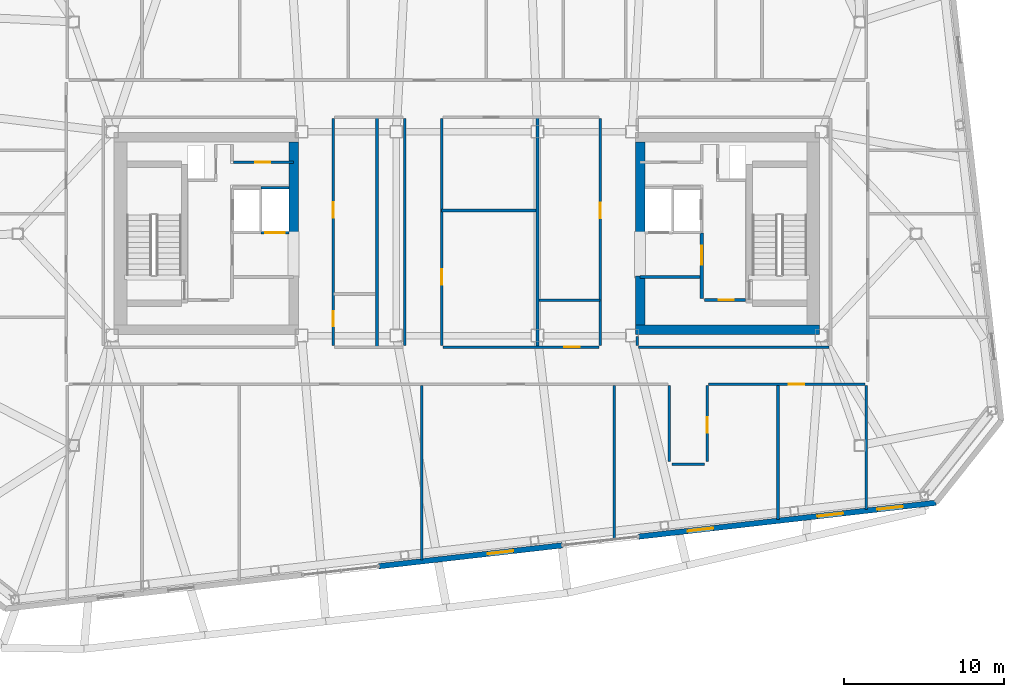
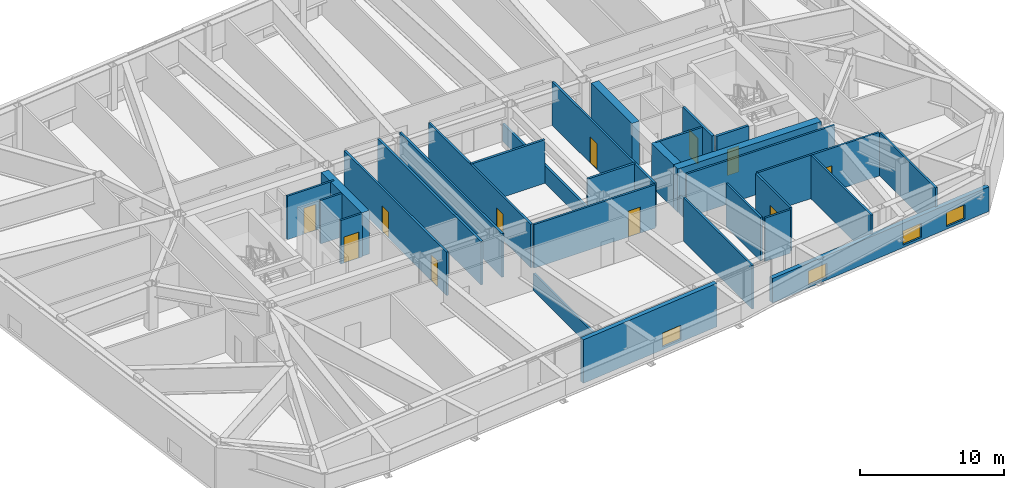
# One storey, part 13 of 18: 31 walls, 11 doors, 4 windows, 15 openings.
"""IFC4 building model written with IfcOpenShell, lengths in metres."""

from ifc_helpers import new_model, si_unit, direction, frame, frame_2d, origin, place, context, subcontext, project, spatial, rectangle, extrude, material, layer, layer_set, type_object, element, fill, save


model = new_model("IFC4")

# Units and contexts
model_context = context("Model", 3, precision=1e-05, world=origin(), true_north=direction((0.0, 1.0)))
body_context = subcontext(model_context, "Body", "Model", "MODEL_VIEW")
ifc_project = project(units=[si_unit("LENGTHUNIT", "METRE"), si_unit("AREAUNIT", "SQUARE_METRE"), si_unit("VOLUMEUNIT", "CUBIC_METRE"), si_unit("PLANEANGLEUNIT", "RADIAN"), si_unit("MASSUNIT", "GRAM", prefix="KILO")], contexts=[model_context])

# Site, building, storey
site_placement = place(None, origin())
site = spatial("IfcSite", under=ifc_project, at=site_placement, CompositionType="ELEMENT")
building_placement = place(site_placement, origin())
building = spatial("IfcBuilding", under=site, at=building_placement, Name="Tavrogorsk Clinical Tower", CompositionType="ELEMENT")
storey_placement = place(building_placement, frame((0.0, 0.0, 267.0)))
storey = spatial("IfcBuildingStorey", under=building, at=storey_placement, Name="L62", CompositionType="ELEMENT", Elevation=267.0)

# Wall, opening, door
ifc_material_1 = material(Name="Concrete B60", Category="concrete")
ifc_layer_1 = layer(ifc_material_1, 0.199951171875)
ifc_layer_set_1 = layer_set([ifc_layer_1], Name="Concrete B60")
wall_type_1 = type_object("IfcWallType", Name="CoreFireWall_200", PredefinedType="SOLIDWALL", material=ifc_layer_set_1)
wall_1_placement = place(storey_placement, frame((14.824951171875, -4.139892578125, 0.0), z_axis=(0.0, 0.0, 1.0), x_axis=(1.0, 0.0, 0.0)))
wall_1 = element("IfcWall", 1, at=wall_1_placement, inside=storey, type_object=wall_type_1, Name="L62 Core East South Core Room Fire Wall", PredefinedType="SOLIDWALL", context=body_context, shape_type="SweptSolid", body=[
    extrude(rectangle(XDim=2.554931640625, YDim=0.199951171875, at=frame_2d((1.27734375, 0.0))), origin(), (0.0, 0.0, 1.0), 3.679931640625),
])
opening_1_placement = place(wall_1_placement, frame((0.8798828125, 0.0, 0.0)))
opening_1 = element("IfcOpeningElement", 2, at=opening_1_placement, cuts=wall_1, Name="Opening ID-02", PredefinedType="OPENING", context=body_context, shape_type="SweptSolid", body=[
    extrude(rectangle(XDim=0.949951171875, YDim=2.199951171875, at=frame_2d((0.47509765625, 1.10009765625))), frame((0.0, 0.10986328125, 0.0), z_axis=(0.0, -1.0, 0.0), x_axis=(1.0, 0.0, 0.0)), (0.0, 0.0, 1.0), 0.219970703125),
])
ifc_material_2 = material(Name="Laminated timber leaf on aluminium frame", Category="wood")
door_type_1 = type_object("IfcDoorType", Name="InteriorDoor_ID02_950", OperationType="NOTDEFINED", PredefinedType="DOOR", material=ifc_material_2)
door_1_placement = place(opening_1_placement, origin())
door_1 = element("IfcDoor", 3, at=door_1_placement, inside=storey, type_object=door_type_1, Name="L62 Core East South Core Room Door", OperationType="SINGLE_SWING_RIGHT", OverallHeight=2.199951171875, OverallWidth=0.949951171875, PredefinedType="DOOR", context=body_context, shape_type="SweptSolid", body=[
    extrude(rectangle(XDim=0.949951171875, YDim=2.199951171875, at=frame_2d((0.47509765625, 1.10009765625))), frame((0.0, 0.02490234375, 0.0), z_axis=(0.0, -1.0, 0.0), x_axis=(1.0, 0.0, 0.0)), (0.0, 0.0, 1.0), 0.050048828125),
])
fill(opening_1, door_1)

wall_2_placement = place(storey_placement, frame((14.639892578125, -4.034912109375, 0.0), z_axis=(0.0, 0.0, 1.0), x_axis=(0.0, 1.0, 0.0)))
wall_2 = element("IfcWall", 4, at=wall_2_placement, inside=storey, type_object=wall_type_1, Name="L62 Core East Firefighting Lobby Fire Wall", PredefinedType="SOLIDWALL", context=body_context, shape_type="SweptSolid", body=[
    extrude(rectangle(XDim=4.074951171875, YDim=0.199951171875, at=frame_2d((2.03759765625, 0.0))), origin(), (0.0, 0.0, 1.0), 3.679931640625),
])
opening_2_placement = place(wall_2_placement, frame((2.090087890625, 0.0, 0.0)))
opening_2 = element("IfcOpeningElement", 5, at=opening_2_placement, cuts=wall_2, Name="Opening FD-01", PredefinedType="OPENING", context=body_context, shape_type="SweptSolid", body=[
    extrude(rectangle(XDim=1.199951171875, YDim=2.199951171875, at=frame_2d((0.60009765625, 1.10009765625))), frame((0.0, 0.10986328125, 0.0), z_axis=(0.0, -1.0, 0.0), x_axis=(1.0, 0.0, 0.0)), (0.0, 0.0, 1.0), 0.219970703125),
])
ifc_material_3 = material(Name="Galvanised steel fire-rated door assembly", Category="steel")
door_type_2 = type_object("IfcDoorType", Name="FireDoor_FD01_1200", OperationType="NOTDEFINED", PredefinedType="DOOR", material=ifc_material_3)
door_2_placement = place(opening_2_placement, origin())
door_2 = element("IfcDoor", 6, at=door_2_placement, inside=storey, type_object=door_type_2, Name="L62 Core East Firefighting Lobby Entry Door", OperationType="SINGLE_SWING_RIGHT", OverallHeight=2.199951171875, OverallWidth=1.199951171875, PredefinedType="DOOR", context=body_context, shape_type="SweptSolid", body=[
    extrude(rectangle(XDim=1.199951171875, YDim=2.199951171875, at=frame_2d((0.60009765625, 1.10009765625))), frame((0.0, 0.02490234375, 0.0), z_axis=(0.0, -1.0, 0.0), x_axis=(1.0, 0.0, 0.0)), (0.0, 0.0, 1.0), 0.050048828125),
])
fill(opening_2, door_2)

ifc_material_4 = material(Name="Lightweight concrete blockwork B15", Category="masonry")
ifc_layer_2 = layer(ifc_material_4, 0.159912109375)
ifc_layer_set_2 = layer_set([ifc_layer_2], Name="Lightweight concrete blockwork B15")
wall_type_2 = type_object("IfcWallType", Name="PartitionWall_160", PredefinedType="PARTITIONING", material=ifc_layer_set_2)
wall_3_placement = place(storey_placement, frame((-14.554931640625, 4.4599609375, 0.0), z_axis=(0.0, 0.0, 1.0), x_axis=(1.0, 0.0, 0.0)))
wall_3 = element("IfcWall", 7, at=wall_3_placement, inside=storey, type_object=wall_type_2, Name="L62 Core West Pneumatic Dispatch South Wall", PredefinedType="PARTITIONING", context=body_context, shape_type="SweptSolid", body=[
    extrude(rectangle(XDim=3.7548828125, YDim=0.159912109375, at=frame_2d((1.87744140625, 0.0))), origin(), (0.0, 0.0, 1.0), 3.679931640625),
])
opening_3_placement = place(wall_3_placement, frame((1.35009765625, 0.0, 0.0)))
opening_3 = element("IfcOpeningElement", 8, at=opening_3_placement, cuts=wall_3, Name="Opening ID-02", PredefinedType="OPENING", context=body_context, shape_type="SweptSolid", body=[
    extrude(rectangle(XDim=0.949951171875, YDim=2.199951171875, at=frame_2d((0.47509765625, 1.10009765625))), frame((0.0, 0.08984375, 0.0), z_axis=(0.0, -1.0, 0.0), x_axis=(1.0, 0.0, 0.0)), (0.0, 0.0, 1.0), 0.179931640625),
])
door_3_placement = place(opening_3_placement, origin())
door_3 = element("IfcDoor", 9, at=door_3_placement, inside=storey, type_object=door_type_1, Name="L62 Core West Pneumatic Dispatch Door", OperationType="SINGLE_SWING_LEFT", OverallHeight=2.199951171875, OverallWidth=0.949951171875, PredefinedType="DOOR", context=body_context, shape_type="SweptSolid", body=[
    extrude(rectangle(XDim=0.949951171875, YDim=2.199951171875, at=frame_2d((0.47509765625, 1.10009765625))), frame((0.0, 0.02490234375, 0.0), z_axis=(0.0, -1.0, 0.0), x_axis=(1.0, 0.0, 0.0)), (0.0, 0.0, 1.0), 0.050048828125),
])
fill(opening_3, door_3)

# Wall
wall_4_placement = place(storey_placement, frame((10.800048828125, -2.699951171875, 0.0), z_axis=(0.0, 0.0, 1.0), x_axis=(1.0, 0.0, 0.0)))
element("IfcWall", 10, at=wall_4_placement, inside=storey, type_object=wall_type_2, Name="L62 Core East Freed Mid-Bank North Partition", PredefinedType="PARTITIONING", context=body_context, shape_type="SweptSolid", body=[
    extrude(rectangle(XDim=3.73486328125, YDim=0.159912109375, at=frame_2d((1.867431640625, 0.0))), origin(), (0.0, 0.0, 1.0), 3.679931640625),
])

# Wall, opening, door
wall_5_placement = place(storey_placement, frame((24.81494140625, -9.3798828125, 0.0), z_axis=(0.0, 0.0, 1.0), x_axis=(-1.0, 0.0, 0.0)))
wall_5 = element("IfcWall", 11, at=wall_5_placement, inside=storey, type_object=wall_type_2, Name="L62 Corridor Partition 04", PredefinedType="PARTITIONING", context=body_context, shape_type="SweptSolid", body=[
    extrude(rectangle(XDim=9.75, YDim=0.159912109375, at=frame_2d((4.875, 0.0))), origin(), (0.0, 0.0, 1.0), 3.679931640625),
])
opening_4_placement = place(wall_5_placement, frame((3.7890625, 0.0, 0.0)))
opening_4 = element("IfcOpeningElement", 12, at=opening_4_placement, cuts=wall_5, Name="Opening ID-02", PredefinedType="OPENING", context=body_context, shape_type="SweptSolid", body=[
    extrude(rectangle(XDim=0.949951171875, YDim=2.199951171875, at=frame_2d((0.47509765625, 1.10009765625))), frame((0.0, 0.08984375, 0.0), z_axis=(0.0, -1.0, 0.0), x_axis=(1.0, 0.0, 0.0)), (0.0, 0.0, 1.0), 0.179931640625),
])
door_4_placement = place(opening_4_placement, origin())
door_4 = element("IfcDoor", 13, at=door_4_placement, inside=storey, type_object=door_type_1, Name="L62 South Attending Physician Office 06 Door", OperationType="SINGLE_SWING_LEFT", OverallHeight=2.199951171875, OverallWidth=0.949951171875, PredefinedType="DOOR", context=body_context, shape_type="SweptSolid", body=[
    extrude(rectangle(XDim=0.949951171875, YDim=2.199951171875, at=frame_2d((0.47509765625, 1.10009765625))), frame((0.0, 0.02490234375, 0.0), z_axis=(0.0, -1.0, 0.0), x_axis=(1.0, 0.0, 0.0)), (0.0, 0.0, 1.0), 0.050048828125),
])
fill(opening_4, door_4)

wall_6_placement = place(storey_placement, frame((14.97998046875, -9.465087890625, 0.0), z_axis=(0.0, 0.0, 1.0), x_axis=(0.0, -1.0, 0.0)))
wall_6 = element("IfcWall", 14, at=wall_6_placement, inside=storey, type_object=wall_type_2, Name="L62 Corridor Partition 05", PredefinedType="PARTITIONING", context=body_context, shape_type="SweptSolid", body=[
    extrude(rectangle(XDim=4.75, YDim=0.159912109375, at=frame_2d((2.375, 0.0))), origin(), (0.0, 0.0, 1.0), 3.679931640625),
])
opening_5_placement = place(wall_6_placement, frame((1.985107421875, 0.0, 0.0)))
opening_5 = element("IfcOpeningElement", 15, at=opening_5_placement, cuts=wall_6, Name="Opening ID-02", PredefinedType="OPENING", context=body_context, shape_type="SweptSolid", body=[
    extrude(rectangle(XDim=0.949951171875, YDim=2.199951171875, at=frame_2d((0.47509765625, 1.10009765625))), frame((0.0, 0.08984375, 0.0), z_axis=(0.0, -1.0, 0.0), x_axis=(1.0, 0.0, 0.0)), (0.0, 0.0, 1.0), 0.179931640625),
])
door_5_placement = place(opening_5_placement, origin())
door_5 = element("IfcDoor", 16, at=door_5_placement, inside=storey, type_object=door_type_1, Name="L62 South Cardiology Diagnostics Room 05 Door", OperationType="SINGLE_SWING_RIGHT", OverallHeight=2.199951171875, OverallWidth=0.949951171875, PredefinedType="DOOR", context=body_context, shape_type="SweptSolid", body=[
    extrude(rectangle(XDim=0.949951171875, YDim=2.199951171875, at=frame_2d((0.47509765625, 1.10009765625))), frame((0.0, 0.02490234375, 0.0), z_axis=(0.0, -1.0, 0.0), x_axis=(1.0, 0.0, 0.0)), (0.0, 0.0, 1.0), 0.050048828125),
])
fill(opening_5, door_5)

# Walls
wall_7_placement = place(storey_placement, frame((14.81494140625, -14.3798828125, 0.0), z_axis=(0.0, 0.0, 1.0), x_axis=(-1.0, 0.0, 0.0)))
element("IfcWall", 17, at=wall_7_placement, inside=storey, type_object=wall_type_2, Name="L62 Corridor Partition 06", PredefinedType="PARTITIONING", context=body_context, shape_type="SweptSolid", body=[
    extrude(rectangle(XDim=2.030029296875, YDim=0.159912109375, at=frame_2d((1.01513671875, 0.0))), origin(), (0.0, 0.0, 1.0), 3.679931640625),
])
wall_8_placement = place(storey_placement, frame((12.6201171875, -14.215087890625, 0.0), z_axis=(0.0, 0.0, 1.0), x_axis=(0.0, 1.0, 0.0)))
element("IfcWall", 18, at=wall_8_placement, inside=storey, type_object=wall_type_2, Name="L62 Corridor Partition 07", PredefinedType="PARTITIONING", context=body_context, shape_type="SweptSolid", body=[
    extrude(rectangle(XDim=4.75, YDim=0.159912109375, at=frame_2d((2.375, 0.0))), origin(), (0.0, 0.0, 1.0), 3.679931640625),
])
wall_9_placement = place(storey_placement, frame((10.6298828125, -6.419921875, 0.0), z_axis=(0.0, 0.0, 1.0), x_axis=(0.0, -1.0, 0.0)))
element("IfcWall", 19, at=wall_9_placement, inside=storey, type_object=wall_type_2, Name="L62 Corridor Partition 11", PredefinedType="PARTITIONING", context=body_context, shape_type="SweptSolid", body=[
    extrude(rectangle(XDim=0.565185546875, YDim=0.159912109375, at=frame_2d((0.28271484375, 0.0))), origin(), (0.0, 0.0, 1.0), 1.47509765625),
])
wall_10_placement = place(storey_placement, frame((10.715087890625, -7.070068359375, 0.0), z_axis=(0.0, 0.0, 1.0), x_axis=(1.0, 0.0, 0.0)))
element("IfcWall", 20, at=wall_10_placement, inside=storey, type_object=wall_type_2, Name="L62 Corridor Partition 12", PredefinedType="PARTITIONING", context=body_context, shape_type="SweptSolid", body=[
    extrude(rectangle(XDim=11.869873046875, YDim=0.159912109375, at=frame_2d((5.93505859375, 0.0))), origin(), (0.0, 0.0, 1.0), 3.679931640625),
])

# Wall, opening, door
wall_11_placement = place(storey_placement, frame((-1.570068359375, 7.18505859375, 0.0), z_axis=(0.0, 0.0, 1.0), x_axis=(0.0, -1.0, 0.0)))
wall_11 = element("IfcWall", 21, at=wall_11_placement, inside=storey, type_object=wall_type_2, Name="L62 Corridor Partition 15", PredefinedType="PARTITIONING", context=body_context, shape_type="SweptSolid", body=[
    extrude(rectangle(XDim=14.170166015625, YDim=0.159912109375, at=frame_2d((7.0849609375, 0.0))), origin(), (0.0, 0.0, 1.0), 3.679931640625),
])
opening_6_placement = place(wall_11_placement, frame((9.410888671875, 0.0, 0.0)))
opening_6 = element("IfcOpeningElement", 22, at=opening_6_placement, cuts=wall_11, Name="Opening ID-02", PredefinedType="OPENING", context=body_context, shape_type="SweptSolid", body=[
    extrude(rectangle(XDim=0.949951171875, YDim=2.199951171875, at=frame_2d((0.47509765625, 1.10009765625))), frame((0.0, 0.08984375, 0.0), z_axis=(0.0, -1.0, 0.0), x_axis=(1.0, 0.0, 0.0)), (0.0, 0.0, 1.0), 0.179931640625),
])
door_6_placement = place(opening_6_placement, origin())
door_6 = element("IfcDoor", 23, at=door_6_placement, inside=storey, type_object=door_type_1, Name="L62 Multidisciplinary Conference Room Door", OperationType="SINGLE_SWING_RIGHT", OverallHeight=2.199951171875, OverallWidth=0.949951171875, PredefinedType="DOOR", context=body_context, shape_type="SweptSolid", body=[
    extrude(rectangle(XDim=0.949951171875, YDim=2.199951171875, at=frame_2d((0.47509765625, 1.10009765625))), frame((0.0, 0.02490234375, 0.0), z_axis=(0.0, -1.0, 0.0), x_axis=(1.0, 0.0, 0.0)), (0.0, 0.0, 1.0), 0.050048828125),
])
fill(opening_6, door_6)

wall_12_placement = place(storey_placement, frame((-1.485107421875, -7.070068359375, 0.0), z_axis=(0.0, 0.0, 1.0), x_axis=(1.0, 0.0, 0.0)))
wall_12 = element("IfcWall", 24, at=wall_12_placement, inside=storey, type_object=wall_type_2, Name="L62 Corridor Partition 16", PredefinedType="PARTITIONING", context=body_context, shape_type="SweptSolid", body=[
    extrude(rectangle(XDim=9.72021484375, YDim=0.159912109375, at=frame_2d((4.860107421875, 0.0))), origin(), (0.0, 0.0, 1.0), 3.679931640625),
])
opening_7_placement = place(wall_12_placement, frame((7.560791015625, 0.0, 0.0)))
opening_7 = element("IfcOpeningElement", 25, at=opening_7_placement, cuts=wall_12, Name="Opening ID-02", PredefinedType="OPENING", context=body_context, shape_type="SweptSolid", body=[
    extrude(rectangle(XDim=0.949951171875, YDim=2.199951171875, at=frame_2d((0.47509765625, 1.10009765625))), frame((0.0, 0.08984375, 0.0), z_axis=(0.0, -1.0, 0.0), x_axis=(1.0, 0.0, 0.0)), (0.0, 0.0, 1.0), 0.179931640625),
])
door_7_placement = place(opening_7_placement, origin())
door_7 = element("IfcDoor", 26, at=door_7_placement, inside=storey, type_object=door_type_1, Name="L62 Staff & Visitor Accessible WC Door", OperationType="SINGLE_SWING_RIGHT", OverallHeight=2.199951171875, OverallWidth=0.949951171875, PredefinedType="DOOR", context=body_context, shape_type="SweptSolid", body=[
    extrude(rectangle(XDim=0.949951171875, YDim=2.199951171875, at=frame_2d((0.47509765625, 1.10009765625))), frame((0.0, 0.02490234375, 0.0), z_axis=(0.0, -1.0, 0.0), x_axis=(1.0, 0.0, 0.0)), (0.0, 0.0, 1.0), 0.050048828125),
])
fill(opening_7, door_7)

wall_13_placement = place(storey_placement, frame((8.320068359375, -6.985107421875, 0.0), z_axis=(0.0, 0.0, 1.0), x_axis=(0.0, 1.0, 0.0)))
wall_13 = element("IfcWall", 27, at=wall_13_placement, inside=storey, type_object=wall_type_2, Name="L62 Corridor Partition 17", PredefinedType="PARTITIONING", context=body_context, shape_type="SweptSolid", body=[
    extrude(rectangle(XDim=14.170166015625, YDim=0.159912109375, at=frame_2d((7.0849609375, 0.0))), origin(), (0.0, 0.0, 1.0), 3.679931640625),
])
opening_8_placement = place(wall_13_placement, frame((7.9609375, 0.0, 0.0)))
opening_8 = element("IfcOpeningElement", 28, at=opening_8_placement, cuts=wall_13, Name="Opening ID-02", PredefinedType="OPENING", context=body_context, shape_type="SweptSolid", body=[
    extrude(rectangle(XDim=0.949951171875, YDim=2.199951171875, at=frame_2d((0.47509765625, 1.10009765625))), frame((0.0, 0.08984375, 0.0), z_axis=(0.0, -1.0, 0.0), x_axis=(1.0, 0.0, 0.0)), (0.0, 0.0, 1.0), 0.179931640625),
])
door_8_placement = place(opening_8_placement, origin())
door_8 = element("IfcDoor", 29, at=door_8_placement, inside=storey, type_object=door_type_1, Name="L62 Attending Physician Office Door", OperationType="SINGLE_SWING_LEFT", OverallHeight=2.199951171875, OverallWidth=0.949951171875, PredefinedType="DOOR", context=body_context, shape_type="SweptSolid", body=[
    extrude(rectangle(XDim=0.949951171875, YDim=2.199951171875, at=frame_2d((0.47509765625, 1.10009765625))), frame((0.0, 0.02490234375, 0.0), z_axis=(0.0, -1.0, 0.0), x_axis=(1.0, 0.0, 0.0)), (0.0, 0.0, 1.0), 0.050048828125),
])
fill(opening_8, door_8)

# Wall
wall_14_placement = place(storey_placement, frame((-3.8798828125, -6.985107421875, 0.0), z_axis=(0.0, 0.0, 1.0), x_axis=(0.0, 1.0, 0.0)))
element("IfcWall", 30, at=wall_14_placement, inside=storey, type_object=wall_type_2, Name="L62 Corridor Partition 18", PredefinedType="PARTITIONING", context=body_context, shape_type="SweptSolid", body=[
    extrude(rectangle(XDim=14.170166015625, YDim=0.159912109375, at=frame_2d((7.0849609375, 0.0))), origin(), (0.0, 0.0, 1.0), 3.679931640625),
])

# Wall, openings, doors
wall_15_placement = place(storey_placement, frame((-8.320068359375, 7.18505859375, 0.0), z_axis=(0.0, 0.0, 1.0), x_axis=(0.0, -1.0, 0.0)))
wall_15 = element("IfcWall", 31, at=wall_15_placement, inside=storey, type_object=wall_type_2, Name="L62 Corridor Partition 20", PredefinedType="PARTITIONING", context=body_context, shape_type="SweptSolid", body=[
    extrude(rectangle(XDim=14.170166015625, YDim=0.159912109375, at=frame_2d((7.0849609375, 0.0))), origin(), (0.0, 0.0, 1.0), 3.679931640625),
])
opening_9_placement = place(wall_15_placement, frame((12.010986328125, 0.0, 0.0)))
opening_9 = element("IfcOpeningElement", 32, at=opening_9_placement, cuts=wall_15, Name="Opening ID-02", PredefinedType="OPENING", context=body_context, shape_type="SweptSolid", body=[
    extrude(rectangle(XDim=0.949951171875, YDim=2.199951171875, at=frame_2d((0.47509765625, 1.10009765625))), frame((0.0, 0.08984375, 0.0), z_axis=(0.0, -1.0, 0.0), x_axis=(1.0, 0.0, 0.0)), (0.0, 0.0, 1.0), 0.179931640625),
])
opening_10_placement = place(wall_15_placement, frame((5.22900390625, 0.0, 0.0)))
opening_10 = element("IfcOpeningElement", 33, at=opening_10_placement, cuts=wall_15, Name="Opening ID-02", PredefinedType="OPENING", context=body_context, shape_type="SweptSolid", body=[
    extrude(rectangle(XDim=0.949951171875, YDim=2.199951171875, at=frame_2d((0.47509765625, 1.10009765625))), frame((0.0, 0.08984375, 0.0), z_axis=(0.0, -1.0, 0.0), x_axis=(1.0, 0.0, 0.0)), (0.0, 0.0, 1.0), 0.179931640625),
])
door_9_placement = place(opening_9_placement, origin())
door_9 = element("IfcDoor", 34, at=door_9_placement, inside=storey, type_object=door_type_1, Name="L62 Accessible Patient Lavatory Door", OperationType="SINGLE_SWING_RIGHT", OverallHeight=2.199951171875, OverallWidth=0.949951171875, PredefinedType="DOOR", context=body_context, shape_type="SweptSolid", body=[
    extrude(rectangle(XDim=0.949951171875, YDim=2.199951171875, at=frame_2d((0.47509765625, 1.10009765625))), frame((0.0, 0.02490234375, 0.0), z_axis=(0.0, -1.0, 0.0), x_axis=(1.0, 0.0, 0.0)), (0.0, 0.0, 1.0), 0.050048828125),
])
fill(opening_9, door_9)
door_10_placement = place(opening_10_placement, origin())
door_10 = element("IfcDoor", 35, at=door_10_placement, inside=storey, type_object=door_type_1, Name="L62 Ward Nourishment Pantry Door", OperationType="SINGLE_SWING_LEFT", OverallHeight=2.199951171875, OverallWidth=0.949951171875, PredefinedType="DOOR", context=body_context, shape_type="SweptSolid", body=[
    extrude(rectangle(XDim=0.949951171875, YDim=2.199951171875, at=frame_2d((0.47509765625, 1.10009765625))), frame((0.0, 0.02490234375, 0.0), z_axis=(0.0, -1.0, 0.0), x_axis=(1.0, 0.0, 0.0)), (0.0, 0.0, 1.0), 0.050048828125),
])
fill(opening_10, door_10)

# Walls
wall_16_placement = place(storey_placement, frame((24.89990234375, -17.199462890625, 0.0), z_axis=(0.0, 0.0, 1.0), x_axis=(0.0, 1.0, 0.0)))
element("IfcWall", 36, at=wall_16_placement, inside=storey, type_object=wall_type_2, Name="L62 SE Wing Closure Partition", PredefinedType="PARTITIONING", context=body_context, shape_type="SweptSolid", body=[
    extrude(rectangle(XDim=7.734375, YDim=0.159912109375, at=frame_2d((3.8671875, 0.0))), origin(), (0.0, 0.0, 1.0), 3.679931640625),
])
wall_17_placement = place(storey_placement, frame((-2.800048828125, -20.35546875, 0.0), z_axis=(0.0, 0.0, 1.0), x_axis=(0.0, 1.0, 0.0)))
element("IfcWall", 37, at=wall_17_placement, inside=storey, type_object=wall_type_2, Name="L62 South Room Partition 3", PredefinedType="PARTITIONING", context=body_context, shape_type="SweptSolid", body=[
    extrude(rectangle(XDim=10.890380859375, YDim=0.159912109375, at=frame_2d((5.4453125, 0.0))), origin(), (0.0, 0.0, 1.0), 1.47509765625),
])
wall_18_placement = place(storey_placement, frame((9.199951171875, -18.98828125, 0.0), z_axis=(0.0, 0.0, 1.0), x_axis=(0.0, 1.0, 0.0)))
element("IfcWall", 38, at=wall_18_placement, inside=storey, type_object=wall_type_2, Name="L62 South Room Partition 4", PredefinedType="PARTITIONING", context=body_context, shape_type="SweptSolid", body=[
    extrude(rectangle(XDim=9.523193359375, YDim=0.159912109375, at=frame_2d((4.76171875, 0.0))), origin(), (0.0, 0.0, 1.0), 3.679931640625),
])
wall_19_placement = place(storey_placement, frame((19.39990234375, -17.825927734375, 0.0), z_axis=(0.0, 0.0, 1.0), x_axis=(0.0, 1.0, 0.0)))
element("IfcWall", 39, at=wall_19_placement, inside=storey, type_object=wall_type_2, Name="L62 South Room Partition 5", PredefinedType="PARTITIONING", context=body_context, shape_type="SweptSolid", body=[
    extrude(rectangle(XDim=8.36083984375, YDim=0.159912109375, at=frame_2d((4.180419921875, 0.0))), origin(), (0.0, 0.0, 1.0), 3.679931640625),
])
ifc_material_5 = material(Name="Lightweight concrete blockwork B20", Category="masonry")
ifc_layer_3 = layer(ifc_material_5, 0.179931640625)
ifc_layer_set_3 = layer_set([ifc_layer_3], Name="Lightweight concrete blockwork B20")
wall_type_3 = type_object("IfcWallType", Name="PartitionWall_180", PredefinedType="PARTITIONING", material=ifc_layer_set_3)
wall_20_placement = place(storey_placement, frame((-5.60009765625, -7.06494140625, 0.0), z_axis=(0.0, 0.0, 1.0), x_axis=(0.0, 1.0, 0.0)))
element("IfcWall", 40, at=wall_20_placement, inside=storey, type_object=wall_type_3, Name="L62 Central Spine Partition 1", PredefinedType="PARTITIONING", context=body_context, shape_type="SweptSolid", body=[
    extrude(rectangle(XDim=14.329833984375, YDim=0.179931640625, at=frame_2d((7.1650390625, 0.0))), origin(), (0.0, 0.0, 1.0), 3.679931640625),
])
wall_21_placement = place(storey_placement, frame((4.39990234375, -7.06494140625, 0.0), z_axis=(0.0, 0.0, 1.0), x_axis=(0.0, 1.0, 0.0)))
element("IfcWall", 41, at=wall_21_placement, inside=storey, type_object=wall_type_3, Name="L62 Central Spine Partition 2", PredefinedType="PARTITIONING", context=body_context, shape_type="SweptSolid", body=[
    extrude(rectangle(XDim=14.329833984375, YDim=0.179931640625, at=frame_2d((7.1650390625, 0.0))), origin(), (0.0, 0.0, 1.0), 1.47509765625),
])
wall_22_placement = place(storey_placement, frame((-1.56494140625, 1.449951171875, 0.0), z_axis=(0.0, 0.0, 1.0), x_axis=(1.0, 0.0, 0.0)))
element("IfcWall", 42, at=wall_22_placement, inside=storey, type_object=wall_type_3, Name="L62 Central Spine Partition 3", PredefinedType="PARTITIONING", context=body_context, shape_type="SweptSolid", body=[
    extrude(rectangle(XDim=5.869873046875, YDim=0.179931640625, at=frame_2d((2.93505859375, 0.0))), origin(), (0.0, 0.0, 1.0), 3.679931640625),
])
wall_23_placement = place(storey_placement, frame((4.4951171875, -4.14990234375, 0.0), z_axis=(0.0, 0.0, 1.0), x_axis=(1.0, 0.0, 0.0)))
element("IfcWall", 43, at=wall_23_placement, inside=storey, type_object=wall_type_3, Name="L62 Central Spine Partition 5", PredefinedType="PARTITIONING", context=body_context, shape_type="SweptSolid", body=[
    extrude(rectangle(XDim=3.81982421875, YDim=0.179931640625, at=frame_2d((1.909912109375, 0.0))), origin(), (0.0, 0.0, 1.0), 3.679931640625),
])

# Wall, opening, window
ifc_material_6 = material(Name="Precast concrete B45 with limestone cladding", Category="masonry")
ifc_layer_4 = layer(ifc_material_6, 0.340087890625)
ifc_layer_set_4 = layer_set([ifc_layer_4], Name="Precast concrete B45 with limestone cladding")
wall_type_4 = type_object("IfcWallType", Name="PrecastLimestoneWall_340", PredefinedType="STANDARD", material=ifc_layer_set_4)
wall_24_placement = place(storey_placement, frame((-5.48193359375, -20.7314453125, 0.0), z_axis=(0.0, 0.0, 1.0), x_axis=(0.993571968199, 0.113202226169, 0.0)))
wall_24 = element("IfcWall", 44, at=wall_24_placement, inside=storey, type_object=wall_type_4, Name="L62 S Limestone Facade Wall 2", PredefinedType="STANDARD", context=body_context, shape_type="SweptSolid", body=[
    extrude(rectangle(XDim=11.497314453125, YDim=0.340087890625, at=frame_2d((5.74853515625, 0.0))), origin(), (0.0, 0.0, 1.0), 3.679931640625),
])
opening_11_placement = place(wall_24_placement, frame((6.82275390625, 0.0, 0.219970703125)))
opening_11 = element("IfcOpeningElement", 45, at=opening_11_placement, cuts=wall_24, Name="Opening WN-09", PredefinedType="OPENING", context=body_context, shape_type="SweptSolid", body=[
    extrude(rectangle(XDim=1.60009765625, YDim=1.199951171875, at=frame_2d((0.800048828125, 0.60009765625))), frame((0.0, 0.179931640625, 0.0), z_axis=(0.0, -1.0, 0.0), x_axis=(1.0, 0.0, 0.0)), (0.0, 0.0, 1.0), 0.360107421875),
])
ifc_material_7 = material(Name="Thermally broken aluminium frame and triple IGU", Category="aluminium")
window_type = type_object("IfcWindowType", Name="LowHeadTransWin_1600x1200", PartitioningType="DOUBLE_PANEL_VERTICAL", PredefinedType="WINDOW", material=ifc_material_7)
window_1_placement = place(opening_11_placement, origin())
window_1 = element("IfcWindow", 46, at=window_1_placement, inside=storey, type_object=window_type, Name="L62 S Chicago Window 06", OverallHeight=1.199951171875, OverallWidth=1.60009765625, PartitioningType="SINGLE_PANEL", PredefinedType="WINDOW", context=body_context, shape_type="SweptSolid", body=[
    extrude(rectangle(XDim=1.60009765625, YDim=1.199951171875, at=frame_2d((0.800048828125, 0.60009765625))), frame((0.0, 0.030029296875, 0.0), z_axis=(0.0, -1.0, 0.0), x_axis=(1.0, 0.0, 0.0)), (0.0, 0.0, 1.0), 0.06005859375),
])
fill(opening_11, window_1)

# Wall, openings, windows
wall_25_placement = place(storey_placement, frame((10.71044921875, -18.886474609375, 0.0), z_axis=(0.0, 0.0, 1.0), x_axis=(0.993572271362, 0.113199565282, 0.0)))
wall_25 = element("IfcWall", 47, at=wall_25_placement, inside=storey, type_object=wall_type_4, Name="L62 S Limestone Facade Wall 3", PredefinedType="STANDARD", context=body_context, shape_type="SweptSolid", body=[
    extrude(rectangle(XDim=18.6513671875, YDim=0.340087890625, at=frame_2d((9.32568359375, 0.0))), origin(), (0.0, 0.0, 1.0), 2.074951171875),
])
opening_12_placement = place(wall_25_placement, frame((3.074462890625, 0.0, 0.219970703125)))
opening_12 = element("IfcOpeningElement", 48, at=opening_12_placement, cuts=wall_25, Name="Opening WN-09", PredefinedType="OPENING", context=body_context, shape_type="SweptSolid", body=[
    extrude(rectangle(XDim=1.60009765625, YDim=1.199951171875, at=frame_2d((0.800048828125, 0.60009765625))), frame((0.0, 0.179931640625, 0.0), z_axis=(0.0, -1.0, 0.0), x_axis=(1.0, 0.0, 0.0)), (0.0, 0.0, 1.0), 0.360107421875),
])
opening_13_placement = place(wall_25_placement, frame((11.222900390625, 0.0, 0.219970703125)))
opening_13 = element("IfcOpeningElement", 49, at=opening_13_placement, cuts=wall_25, Name="Opening WN-09", PredefinedType="OPENING", context=body_context, shape_type="SweptSolid", body=[
    extrude(rectangle(XDim=1.60009765625, YDim=1.199951171875, at=frame_2d((0.800048828125, 0.60009765625))), frame((0.0, 0.179931640625, 0.0), z_axis=(0.0, -1.0, 0.0), x_axis=(1.0, 0.0, 0.0)), (0.0, 0.0, 1.0), 0.360107421875),
])
opening_14_placement = place(wall_25_placement, frame((14.97119140625, 0.0, 0.219970703125)))
opening_14 = element("IfcOpeningElement", 50, at=opening_14_placement, cuts=wall_25, Name="Opening WN-09", PredefinedType="OPENING", context=body_context, shape_type="SweptSolid", body=[
    extrude(rectangle(XDim=1.60009765625, YDim=1.199951171875, at=frame_2d((0.800048828125, 0.60009765625))), frame((0.0, 0.179931640625, 0.0), z_axis=(0.0, -1.0, 0.0), x_axis=(1.0, 0.0, 0.0)), (0.0, 0.0, 1.0), 0.360107421875),
])
window_2_placement = place(opening_12_placement, origin())
window_2 = element("IfcWindow", 51, at=window_2_placement, inside=storey, type_object=window_type, Name="L62 S Chicago Window 07", OverallHeight=1.199951171875, OverallWidth=1.60009765625, PartitioningType="SINGLE_PANEL", PredefinedType="WINDOW", context=body_context, shape_type="SweptSolid", body=[
    extrude(rectangle(XDim=1.60009765625, YDim=1.199951171875, at=frame_2d((0.800048828125, 0.60009765625))), frame((0.0, 0.030029296875, 0.0), z_axis=(0.0, -1.0, 0.0), x_axis=(1.0, 0.0, 0.0)), (0.0, 0.0, 1.0), 0.06005859375),
])
fill(opening_12, window_2)
window_3_placement = place(opening_13_placement, origin())
window_3 = element("IfcWindow", 52, at=window_3_placement, inside=storey, type_object=window_type, Name="L62 S Chicago Window 09", OverallHeight=1.199951171875, OverallWidth=1.60009765625, PartitioningType="SINGLE_PANEL", PredefinedType="WINDOW", context=body_context, shape_type="SweptSolid", body=[
    extrude(rectangle(XDim=1.60009765625, YDim=1.199951171875, at=frame_2d((0.800048828125, 0.60009765625))), frame((0.0, 0.030029296875, 0.0), z_axis=(0.0, -1.0, 0.0), x_axis=(1.0, 0.0, 0.0)), (0.0, 0.0, 1.0), 0.06005859375),
])
fill(opening_13, window_3)
window_4_placement = place(opening_14_placement, origin())
window_4 = element("IfcWindow", 53, at=window_4_placement, inside=storey, type_object=window_type, Name="L62 S Chicago Window 10", OverallHeight=1.199951171875, OverallWidth=1.60009765625, PartitioningType="SINGLE_PANEL", PredefinedType="WINDOW", context=body_context, shape_type="SweptSolid", body=[
    extrude(rectangle(XDim=1.60009765625, YDim=1.199951171875, at=frame_2d((0.800048828125, 0.60009765625))), frame((0.0, 0.030029296875, 0.0), z_axis=(0.0, -1.0, 0.0), x_axis=(1.0, 0.0, 0.0)), (0.0, 0.0, 1.0), 0.06005859375),
])
fill(opening_14, window_4)

# Wall, opening, door
ifc_material_8 = material(Name="Lightweight concrete blockwork B25", Category="masonry")
ifc_layer_5 = layer(ifc_material_8, 0.159912109375)
ifc_layer_set_5 = layer_set([ifc_layer_5], Name="Lightweight concrete blockwork B25")
wall_type_5 = type_object("IfcWallType", Name="ShaftWall_160", PredefinedType="PARTITIONING", material=ifc_layer_set_5)
wall_26_placement = place(storey_placement, frame((-12.820068359375, 0.06005859375, 0.0), z_axis=(0.0, 0.0, 1.0), x_axis=(1.0, 0.0, 0.0)))
wall_26 = element("IfcWall", 54, at=wall_26_placement, inside=storey, type_object=wall_type_5, Name="L62 LP-H1 High-Zone Lift Portal Wall", PredefinedType="PARTITIONING", context=body_context, shape_type="SweptSolid", body=[
    extrude(rectangle(XDim=1.719970703125, YDim=0.159912109375, at=frame_2d((0.85986328125, 0.0))), origin(), (0.0, 0.0, 1.0), 3.679931640625),
])
opening_15_placement = place(wall_26_placement, frame((0.260009765625, 0.0, 0.0)))
opening_15 = element("IfcOpeningElement", 55, at=opening_15_placement, cuts=wall_26, Name="Opening LD", PredefinedType="OPENING", context=body_context, shape_type="SweptSolid", body=[
    extrude(rectangle(XDim=1.199951171875, YDim=2.199951171875, at=frame_2d((0.60009765625, 1.10009765625))), frame((0.0, 0.08984375, 0.0), z_axis=(0.0, -1.0, 0.0), x_axis=(1.0, 0.0, 0.0)), (0.0, 0.0, 1.0), 0.179931640625),
])
ifc_material_9 = material(Name="Brushed stainless steel AISI 304 sliding doors", Category="steel")
door_type_3 = type_object("IfcDoorType", Name="LiftLandingDoor_LD_1200", OperationType="SLIDING_TO_LEFT", PredefinedType="DOOR", material=ifc_material_9)
door_11_placement = place(opening_15_placement, origin())
door_11 = element("IfcDoor", 56, at=door_11_placement, inside=storey, type_object=door_type_3, Name="L62 LP-H1 Sliding Lift Landing Door", OperationType="SLIDING_TO_LEFT", OverallHeight=2.199951171875, OverallWidth=1.199951171875, PredefinedType="DOOR", context=body_context, shape_type="SweptSolid", body=[
    extrude(rectangle(XDim=1.199951171875, YDim=2.199951171875, at=frame_2d((0.60009765625, 1.10009765625))), frame((0.0, 0.02490234375, 0.0), z_axis=(0.0, -1.0, 0.0), x_axis=(1.0, 0.0, 0.0)), (0.0, 0.0, 1.0), 0.050048828125),
])
fill(opening_15, door_11)

# Walls
wall_27_placement = place(storey_placement, frame((-12.820068359375, 2.860107421875, 0.0), z_axis=(0.0, 0.0, 1.0), x_axis=(1.0, 0.0, 0.0)))
element("IfcWall", 57, at=wall_27_placement, inside=storey, type_object=wall_type_5, Name="L62 LP-H1 High-Zone Lift Rear Wall", PredefinedType="PARTITIONING", context=body_context, shape_type="SweptSolid", body=[
    extrude(rectangle(XDim=1.719970703125, YDim=0.159912109375, at=frame_2d((0.85986328125, 0.0))), origin(), (0.0, 0.0, 1.0), 3.679931640625),
])
ifc_material_10 = material(Name="Concrete B80", Category="concrete")
ifc_layer_6 = layer(ifc_material_10, 0.60009765625)
ifc_layer_set_6 = layer_set([ifc_layer_6], Name="Concrete B80")
wall_type_6 = type_object("IfcWallType", Name="ShearWall_600", PredefinedType="SHEAR", material=ifc_layer_set_6)
wall_28_placement = place(storey_placement, frame((-10.800048828125, 0.050048828125, 0.0), z_axis=(0.0, 0.0, 1.0), x_axis=(0.0, 1.0, 0.0)))
element("IfcWall", 58, at=wall_28_placement, inside=storey, type_object=wall_type_6, Name="L62 Core West Inner North Pier", PredefinedType="SHEAR", context=body_context, shape_type="SweptSolid", body=[
    extrude(rectangle(XDim=5.64990234375, YDim=0.60009765625, at=frame_2d((2.824951171875, 0.0))), origin(), (0.0, 0.0, 1.0), 3.679931640625),
])
wall_29_placement = place(storey_placement, frame((10.5, -6.0, 0.0), z_axis=(0.0, 0.0, 1.0), x_axis=(1.0, 0.0, 0.0)))
element("IfcWall", 59, at=wall_29_placement, inside=storey, type_object=wall_type_6, Name="L62 Core East South Shear Wall", PredefinedType="SHEAR", context=body_context, shape_type="SweptSolid", body=[
    extrude(rectangle(XDim=11.5, YDim=0.60009765625, at=frame_2d((5.75, 0.0))), origin(), (0.0, 0.0, 1.0), 3.679931640625),
])
wall_30_placement = place(storey_placement, frame((10.800048828125, -5.699951171875, 0.0), z_axis=(0.0, 0.0, 1.0), x_axis=(0.0, 1.0, 0.0)))
element("IfcWall", 60, at=wall_30_placement, inside=storey, type_object=wall_type_6, Name="L62 Core East Inner South Pier", PredefinedType="SHEAR", context=body_context, shape_type="SweptSolid", body=[
    extrude(rectangle(XDim=3.050048828125, YDim=0.60009765625, at=frame_2d((1.52490234375, 0.0))), origin(), (0.0, 0.0, 1.0), 3.679931640625),
])
wall_31_placement = place(storey_placement, frame((10.800048828125, 0.050048828125, 0.0), z_axis=(0.0, 0.0, 1.0), x_axis=(0.0, 1.0, 0.0)))
element("IfcWall", 61, at=wall_31_placement, inside=storey, type_object=wall_type_6, Name="L62 Core East Inner North Pier", PredefinedType="SHEAR", context=body_context, shape_type="SweptSolid", body=[
    extrude(rectangle(XDim=5.64990234375, YDim=0.60009765625, at=frame_2d((2.824951171875, 0.0))), origin(), (0.0, 0.0, 1.0), 3.679931640625),
])

save(model, "model.ifc")
